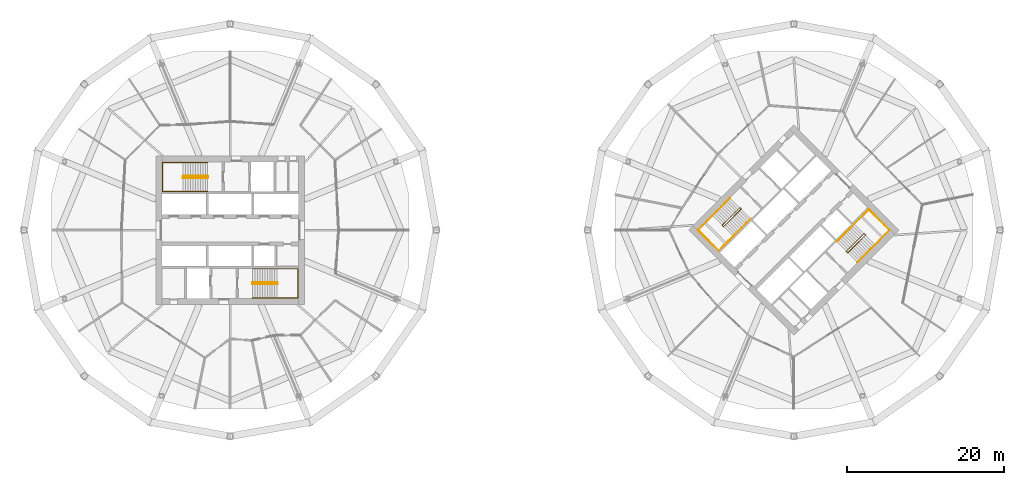
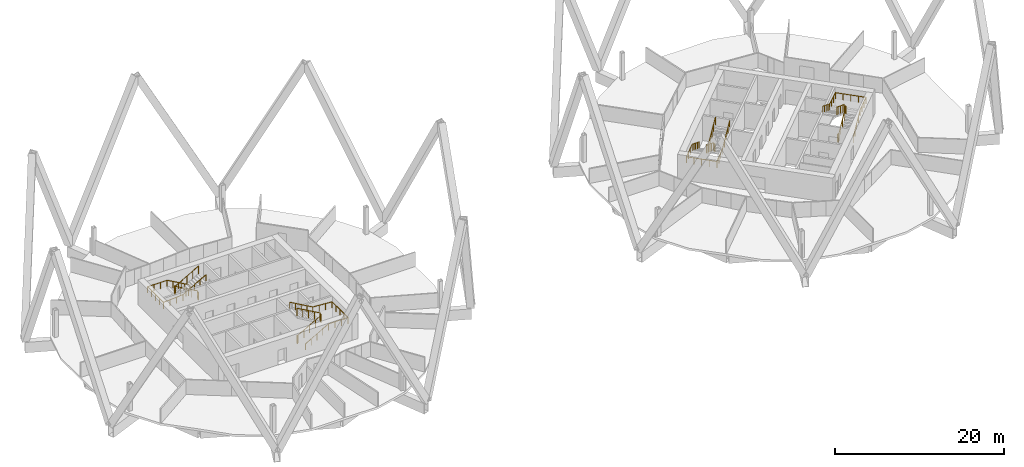
# One storey, part 9 of 9: 8 railings.
"""IFC4 building model written with IfcOpenShell, lengths in metres."""

from ifc_helpers import new_model, si_unit, direction, frame, origin, origin_2d, place, context, subcontext, project, spatial, circle, extrude, material, type_object, element, save


model = new_model("IFC4")

# Units and contexts
model_context = context("Model", 3, precision=1e-05, world=origin(), true_north=direction((0.0, 1.0)))
body_context = subcontext(model_context, "Body", "Model", "MODEL_VIEW")
ifc_project = project(units=[si_unit("LENGTHUNIT", "METRE"), si_unit("AREAUNIT", "SQUARE_METRE"), si_unit("VOLUMEUNIT", "CUBIC_METRE"), si_unit("PLANEANGLEUNIT", "RADIAN"), si_unit("MASSUNIT", "GRAM", prefix="KILO")], contexts=[model_context])

# Site, building, storey
site_placement = place(None, origin())
site = spatial("IfcSite", under=ifc_project, at=site_placement, CompositionType="ELEMENT")
building_placement = place(site_placement, origin())
building = spatial("IfcBuilding", under=site, at=building_placement, Name="Ogive Gate Towers", CompositionType="ELEMENT")
storey_placement = place(building_placement, frame((0.0, 0.0, 51.89990234375)))
storey = spatial("IfcBuildingStorey", under=building, at=storey_placement, Name="L11", CompositionType="ELEMENT", Elevation=51.89990234375)

# Railings
ifc_material = material(Name="Stainless steel", Category="steel")
railing_type_1 = type_object("IfcRailingType", Name="Stair guard 1100", PredefinedType="GUARDRAIL", material=ifc_material)
railing_1_placement = place(storey_placement, frame((-38.81494140625, 6.860107421875, 0.0)))
element("IfcRailing", 1, at=railing_1_placement, inside=storey, type_object=railing_type_1, Name="L11 ST1 stair guard 1", PredefinedType="GUARDRAIL", context=body_context, shape_type="SweptSolid", body=[
    extrude(circle(Radius=0.02392578125, at=origin_2d()), frame((0.0, 0.0, 1.076171875), z_axis=(0.0, -1.0, 0.0), x_axis=(1.0, 0.0, 0.0)), (0.0, 0.0, 1.0), 0.14501953125),
    extrude(circle(Radius=0.02392578125, at=origin_2d()), frame((0.0, -0.14501953125, 1.076171875), z_axis=(-0.186567429962, 0.726247849316, 0.661631812598), x_axis=(-0.968551454522, -0.24881334358, 0.0)), (0.0, 0.0, 1.0), 0.268310546875),
    extrude(circle(Radius=0.02392578125, at=origin_2d()), frame((-0.050048828125, 0.0498046875, 1.25341796875), z_axis=(-0.870572935281, 0.0, 0.492039393094), x_axis=(0.0, -1.0, 0.0)), (0.0, 0.0, 1.0), 3.602783203125),
    extrude(circle(Radius=0.02392578125, at=origin_2d()), frame((-3.1865234375, 0.0498046875, 3.0263671875), z_axis=(-0.707106781187, -0.707106781187, 0.0), x_axis=(0.707106781187, -0.707106781187, 0.0)), (0.0, 0.0, 1.0), 0.0703125),
    extrude(circle(Radius=0.02392578125, at=origin_2d()), frame((-3.236328125, 0.0, 3.0263671875), z_axis=(0.0, -1.0, 0.0), x_axis=(1.0, 0.0, 0.0)), (0.0, 0.0, 1.0), 0.14501953125),
    extrude(circle(Radius=0.02392578125, at=origin_2d()), frame((-3.236328125, -0.14501953125, 3.0263671875), z_axis=(0.261041864531, -0.262321481514, 0.929001929653), x_axis=(0.708833529934, 0.705375805398, 0.0)), (0.0, 0.0, 1.0), 0.190673828125),
    extrude(circle(Radius=0.02392578125, at=origin_2d()), frame((-3.1865234375, -0.195068359375, 3.20361328125), z_axis=(0.870572935281, 0.0, 0.492039393094), x_axis=(0.0, 1.0, 0.0)), (0.0, 0.0, 1.0), 3.602783203125),
    extrude(circle(Radius=0.02099609375, at=origin_2d()), origin(), (0.0, 0.0, 1.0), 1.052001953125),
    extrude(circle(Radius=0.02099609375, at=origin_2d()), frame((0.0, -0.14501953125, 0.0)), (0.0, 0.0, 1.0), 1.052001953125),
    extrude(circle(Radius=0.02099609375, at=origin_2d()), frame((-0.050048828125, 0.0498046875, 0.177490234375)), (0.0, 0.0, 1.0), 1.052001953125),
    extrude(circle(Radius=0.02099609375, at=origin_2d()), frame((-0.834228515625, 0.0498046875, 0.62060546875)), (0.0, 0.0, 1.0), 1.052001953125),
    extrude(circle(Radius=0.02099609375, at=origin_2d()), frame((-1.6181640625, 0.0498046875, 1.06396484375)), (0.0, 0.0, 1.0), 1.052001953125),
    extrude(circle(Radius=0.02099609375, at=origin_2d()), frame((-2.40234375, 0.0498046875, 1.507080078125)), (0.0, 0.0, 1.0), 1.052001953125),
    extrude(circle(Radius=0.02099609375, at=origin_2d()), frame((-3.1865234375, 0.0498046875, 1.9501953125)), (0.0, 0.0, 1.0), 1.052001953125),
    extrude(circle(Radius=0.02099609375, at=origin_2d()), frame((-3.236328125, 0.0, 1.9501953125)), (0.0, 0.0, 1.0), 1.052001953125),
    extrude(circle(Radius=0.02099609375, at=origin_2d()), frame((-3.236328125, -0.14501953125, 1.9501953125)), (0.0, 0.0, 1.0), 1.052001953125),
    extrude(circle(Radius=0.02099609375, at=origin_2d()), frame((-3.1865234375, -0.195068359375, 2.12744140625)), (0.0, 0.0, 1.0), 1.052001953125),
    extrude(circle(Radius=0.02099609375, at=origin_2d()), frame((-2.40234375, -0.195068359375, 2.570556640625)), (0.0, 0.0, 1.0), 1.052001953125),
    extrude(circle(Radius=0.02099609375, at=origin_2d()), frame((-1.6181640625, -0.195068359375, 3.013671875)), (0.0, 0.0, 1.0), 1.052001953125),
    extrude(circle(Radius=0.02099609375, at=origin_2d()), frame((-0.834228515625, -0.195068359375, 3.45703125)), (0.0, 0.0, 1.0), 1.052001953125),
    extrude(circle(Radius=0.02099609375, at=origin_2d()), frame((-0.050048828125, -0.195068359375, 3.900146484375)), (0.0, 0.0, 1.0), 1.052001953125),
])
railing_2_placement = place(storey_placement, frame((-33.18505859375, -6.860107421875, 0.0)))
element("IfcRailing", 2, at=railing_2_placement, inside=storey, type_object=railing_type_1, Name="L11 ST2 stair guard 1", PredefinedType="GUARDRAIL", context=body_context, shape_type="SweptSolid", body=[
    extrude(circle(Radius=0.02392578125, at=origin_2d()), frame((0.0, 0.0, 1.076171875), z_axis=(0.0, 1.0, 0.0), x_axis=(-1.0, 0.0, 0.0)), (0.0, 0.0, 1.0), 0.14501953125),
    extrude(circle(Radius=0.02392578125, at=origin_2d()), frame((0.0, 0.14501953125, 1.076171875), z_axis=(0.186567429962, -0.726247849316, 0.661631812598), x_axis=(0.968551454522, 0.24881334358, 0.0)), (0.0, 0.0, 1.0), 0.268310546875),
    extrude(circle(Radius=0.02392578125, at=origin_2d()), frame((0.050048828125, -0.0498046875, 1.25341796875), z_axis=(0.870572935281, 0.0, 0.492039393094), x_axis=(0.0, 1.0, 0.0)), (0.0, 0.0, 1.0), 3.602783203125),
    extrude(circle(Radius=0.02392578125, at=origin_2d()), frame((3.1865234375, -0.0498046875, 3.0263671875), z_axis=(0.707106781187, 0.707106781187, 0.0), x_axis=(-0.707106781187, 0.707106781187, 0.0)), (0.0, 0.0, 1.0), 0.0703125),
    extrude(circle(Radius=0.02392578125, at=origin_2d()), frame((3.236328125, 0.0, 3.0263671875), z_axis=(0.0, 1.0, 0.0), x_axis=(-1.0, 0.0, 0.0)), (0.0, 0.0, 1.0), 0.14501953125),
    extrude(circle(Radius=0.02392578125, at=origin_2d()), frame((3.236328125, 0.14501953125, 3.0263671875), z_axis=(-0.261041864531, 0.262321481514, 0.929001929653), x_axis=(-0.708833529934, -0.705375805398, 0.0)), (0.0, 0.0, 1.0), 0.190673828125),
    extrude(circle(Radius=0.02392578125, at=origin_2d()), frame((3.1865234375, 0.195068359375, 3.20361328125), z_axis=(-0.870572935281, 0.0, 0.492039393094), x_axis=(0.0, -1.0, 0.0)), (0.0, 0.0, 1.0), 3.602783203125),
    extrude(circle(Radius=0.02099609375, at=origin_2d()), origin(), (0.0, 0.0, 1.0), 1.052001953125),
    extrude(circle(Radius=0.02099609375, at=origin_2d()), frame((0.0, 0.14501953125, 0.0)), (0.0, 0.0, 1.0), 1.052001953125),
    extrude(circle(Radius=0.02099609375, at=origin_2d()), frame((0.050048828125, -0.0498046875, 0.177490234375)), (0.0, 0.0, 1.0), 1.052001953125),
    extrude(circle(Radius=0.02099609375, at=origin_2d()), frame((0.834228515625, -0.0498046875, 0.62060546875)), (0.0, 0.0, 1.0), 1.052001953125),
    extrude(circle(Radius=0.02099609375, at=origin_2d()), frame((1.6181640625, -0.0498046875, 1.06396484375)), (0.0, 0.0, 1.0), 1.052001953125),
    extrude(circle(Radius=0.02099609375, at=origin_2d()), frame((2.40234375, -0.0498046875, 1.507080078125)), (0.0, 0.0, 1.0), 1.052001953125),
    extrude(circle(Radius=0.02099609375, at=origin_2d()), frame((3.1865234375, -0.0498046875, 1.9501953125)), (0.0, 0.0, 1.0), 1.052001953125),
    extrude(circle(Radius=0.02099609375, at=origin_2d()), frame((3.236328125, 0.0, 1.9501953125)), (0.0, 0.0, 1.0), 1.052001953125),
    extrude(circle(Radius=0.02099609375, at=origin_2d()), frame((3.236328125, 0.14501953125, 1.9501953125)), (0.0, 0.0, 1.0), 1.052001953125),
    extrude(circle(Radius=0.02099609375, at=origin_2d()), frame((3.1865234375, 0.195068359375, 2.12744140625)), (0.0, 0.0, 1.0), 1.052001953125),
    extrude(circle(Radius=0.02099609375, at=origin_2d()), frame((2.40234375, 0.195068359375, 2.570556640625)), (0.0, 0.0, 1.0), 1.052001953125),
    extrude(circle(Radius=0.02099609375, at=origin_2d()), frame((1.6181640625, 0.195068359375, 3.013671875)), (0.0, 0.0, 1.0), 1.052001953125),
    extrude(circle(Radius=0.02099609375, at=origin_2d()), frame((0.834228515625, 0.195068359375, 3.45703125)), (0.0, 0.0, 1.0), 1.052001953125),
    extrude(circle(Radius=0.02099609375, at=origin_2d()), frame((0.050048828125, 0.195068359375, 3.900146484375)), (0.0, 0.0, 1.0), 1.052001953125),
])
railing_3_placement = place(storey_placement, frame((29.15869140625, 2.8603515625, 0.0)))
element("IfcRailing", 3, at=railing_3_placement, inside=storey, type_object=railing_type_1, Name="L11 ST1 stair guard 1", PredefinedType="GUARDRAIL", context=body_context, shape_type="SweptSolid", body=[
    extrude(circle(Radius=0.02392578125, at=origin_2d()), frame((0.0, 0.0, 1.076171875), z_axis=(0.707106781187, -0.707106781187, 0.0), x_axis=(0.707106781187, 0.707106781187, 0.0)), (0.0, 0.0, 1.0), 0.14501953125),
    extrude(circle(Radius=0.02392578125, at=origin_2d()), frame((0.1025390625, -0.1025390625, 1.076171875), z_axis=(-0.645182954318, 0.382195826253, 0.661562775443), x_axis=(-0.509669330572, -0.860370369942, 0.0)), (0.0, 0.0, 1.0), 0.268310546875),
    extrude(circle(Radius=0.02392578125, at=origin_2d()), frame((-0.070556640625, 0.0, 1.25341796875), z_axis=(-0.61558473135, -0.61558473135, 0.49204763698), x_axis=(0.707106781187, -0.707106781187, 0.0)), (0.0, 0.0, 1.0), 3.602783203125),
    extrude(circle(Radius=0.02392578125, at=origin_2d()), frame((-2.288330078125, -2.2177734375, 3.0263671875), z_axis=(0.0, -1.0, 0.0), x_axis=(1.0, 0.0, 0.0)), (0.0, 0.0, 1.0), 0.07080078125),
    extrude(circle(Radius=0.02392578125, at=origin_2d()), frame((-2.288330078125, -2.28857421875, 3.0263671875), z_axis=(0.707106781187, -0.707106781187, 0.0), x_axis=(0.707106781187, 0.707106781187, 0.0)), (0.0, 0.0, 1.0), 0.14501953125),
    extrude(circle(Radius=0.02392578125, at=origin_2d()), frame((-2.185791015625, -2.39111328125, 3.0263671875), z_axis=(0.369845645421, 0.0, 0.929093213065), x_axis=(0.0, 1.0, 0.0)), (0.0, 0.0, 1.0), 0.190673828125),
    extrude(circle(Radius=0.02392578125, at=origin_2d()), frame((-2.115234375, -2.39111328125, 3.20361328125), z_axis=(0.61558473135, 0.61558473135, 0.49204763698), x_axis=(-0.707106781187, 0.707106781187, 0.0)), (0.0, 0.0, 1.0), 3.602783203125),
    extrude(circle(Radius=0.02099609375, at=origin_2d()), origin(), (0.0, 0.0, 1.0), 1.052001953125),
    extrude(circle(Radius=0.02099609375, at=origin_2d()), frame((0.1025390625, -0.1025390625, 0.0)), (0.0, 0.0, 1.0), 1.052001953125),
    extrude(circle(Radius=0.02099609375, at=origin_2d()), frame((-0.070556640625, 0.0, 0.177490234375)), (0.0, 0.0, 1.0), 1.052001953125),
    extrude(circle(Radius=0.02099609375, at=origin_2d()), frame((-0.625, -0.554443359375, 0.62060546875)), (0.0, 0.0, 1.0), 1.052001953125),
    extrude(circle(Radius=0.02099609375, at=origin_2d()), frame((-1.179443359375, -1.10888671875, 1.06396484375)), (0.0, 0.0, 1.0), 1.052001953125),
    extrude(circle(Radius=0.02099609375, at=origin_2d()), frame((-1.73388671875, -1.663330078125, 1.507080078125)), (0.0, 0.0, 1.0), 1.052001953125),
    extrude(circle(Radius=0.02099609375, at=origin_2d()), frame((-2.288330078125, -2.2177734375, 1.9501953125)), (0.0, 0.0, 1.0), 1.052001953125),
    extrude(circle(Radius=0.02099609375, at=origin_2d()), frame((-2.288330078125, -2.28857421875, 1.9501953125)), (0.0, 0.0, 1.0), 1.052001953125),
    extrude(circle(Radius=0.02099609375, at=origin_2d()), frame((-2.185791015625, -2.39111328125, 1.9501953125)), (0.0, 0.0, 1.0), 1.052001953125),
    extrude(circle(Radius=0.02099609375, at=origin_2d()), frame((-2.115234375, -2.39111328125, 2.12744140625)), (0.0, 0.0, 1.0), 1.052001953125),
    extrude(circle(Radius=0.02099609375, at=origin_2d()), frame((-1.560791015625, -1.836669921875, 2.570556640625)), (0.0, 0.0, 1.0), 1.052001953125),
    extrude(circle(Radius=0.02099609375, at=origin_2d()), frame((-1.00634765625, -1.2822265625, 3.013671875)), (0.0, 0.0, 1.0), 1.052001953125),
    extrude(circle(Radius=0.02099609375, at=origin_2d()), frame((-0.451904296875, -0.727783203125, 3.45703125)), (0.0, 0.0, 1.0), 1.052001953125),
    extrude(circle(Radius=0.02099609375, at=origin_2d()), frame((0.1025390625, -0.17333984375, 3.900146484375)), (0.0, 0.0, 1.0), 1.052001953125),
])
railing_4_placement = place(storey_placement, frame((42.84130859375, -2.8603515625, 0.0)))
element("IfcRailing", 4, at=railing_4_placement, inside=storey, type_object=railing_type_1, Name="L11 ST2 stair guard 1", PredefinedType="GUARDRAIL", context=body_context, shape_type="SweptSolid", body=[
    extrude(circle(Radius=0.02392578125, at=origin_2d()), frame((0.0, 0.0, 1.076171875), z_axis=(-0.707106781187, 0.707106781187, 0.0), x_axis=(-0.707106781187, -0.707106781187, 0.0)), (0.0, 0.0, 1.0), 0.14501953125),
    extrude(circle(Radius=0.02392578125, at=origin_2d()), frame((-0.1025390625, 0.1025390625, 1.076171875), z_axis=(0.645182954318, -0.382195826253, 0.661562775443), x_axis=(0.509669330572, 0.860370369942, 0.0)), (0.0, 0.0, 1.0), 0.268310546875),
    extrude(circle(Radius=0.02392578125, at=origin_2d()), frame((0.070556640625, 0.0, 1.25341796875), z_axis=(0.61558473135, 0.61558473135, 0.49204763698), x_axis=(-0.707106781187, 0.707106781187, 0.0)), (0.0, 0.0, 1.0), 3.602783203125),
    extrude(circle(Radius=0.02392578125, at=origin_2d()), frame((2.288330078125, 2.2177734375, 3.0263671875), z_axis=(0.0, 1.0, 0.0), x_axis=(-1.0, 0.0, 0.0)), (0.0, 0.0, 1.0), 0.07080078125),
    extrude(circle(Radius=0.02392578125, at=origin_2d()), frame((2.288330078125, 2.28857421875, 3.0263671875), z_axis=(-0.707106781187, 0.707106781187, 0.0), x_axis=(-0.707106781187, -0.707106781187, 0.0)), (0.0, 0.0, 1.0), 0.14501953125),
    extrude(circle(Radius=0.02392578125, at=origin_2d()), frame((2.185791015625, 2.39111328125, 3.0263671875), z_axis=(-0.369845645421, 0.0, 0.929093213065), x_axis=(0.0, -1.0, 0.0)), (0.0, 0.0, 1.0), 0.190673828125),
    extrude(circle(Radius=0.02392578125, at=origin_2d()), frame((2.115234375, 2.39111328125, 3.20361328125), z_axis=(-0.61558473135, -0.61558473135, 0.49204763698), x_axis=(0.707106781187, -0.707106781187, 0.0)), (0.0, 0.0, 1.0), 3.602783203125),
    extrude(circle(Radius=0.02099609375, at=origin_2d()), origin(), (0.0, 0.0, 1.0), 1.052001953125),
    extrude(circle(Radius=0.02099609375, at=origin_2d()), frame((-0.1025390625, 0.1025390625, 0.0)), (0.0, 0.0, 1.0), 1.052001953125),
    extrude(circle(Radius=0.02099609375, at=origin_2d()), frame((0.070556640625, 0.0, 0.177490234375)), (0.0, 0.0, 1.0), 1.052001953125),
    extrude(circle(Radius=0.02099609375, at=origin_2d()), frame((0.625, 0.554443359375, 0.62060546875)), (0.0, 0.0, 1.0), 1.052001953125),
    extrude(circle(Radius=0.02099609375, at=origin_2d()), frame((1.179443359375, 1.10888671875, 1.06396484375)), (0.0, 0.0, 1.0), 1.052001953125),
    extrude(circle(Radius=0.02099609375, at=origin_2d()), frame((1.73388671875, 1.663330078125, 1.507080078125)), (0.0, 0.0, 1.0), 1.052001953125),
    extrude(circle(Radius=0.02099609375, at=origin_2d()), frame((2.288330078125, 2.2177734375, 1.9501953125)), (0.0, 0.0, 1.0), 1.052001953125),
    extrude(circle(Radius=0.02099609375, at=origin_2d()), frame((2.288330078125, 2.28857421875, 1.9501953125)), (0.0, 0.0, 1.0), 1.052001953125),
    extrude(circle(Radius=0.02099609375, at=origin_2d()), frame((2.185791015625, 2.39111328125, 1.9501953125)), (0.0, 0.0, 1.0), 1.052001953125),
    extrude(circle(Radius=0.02099609375, at=origin_2d()), frame((2.115234375, 2.39111328125, 2.12744140625)), (0.0, 0.0, 1.0), 1.052001953125),
    extrude(circle(Radius=0.02099609375, at=origin_2d()), frame((1.560791015625, 1.836669921875, 2.570556640625)), (0.0, 0.0, 1.0), 1.052001953125),
    extrude(circle(Radius=0.02099609375, at=origin_2d()), frame((1.00634765625, 1.2822265625, 3.013671875)), (0.0, 0.0, 1.0), 1.052001953125),
    extrude(circle(Radius=0.02099609375, at=origin_2d()), frame((0.451904296875, 0.727783203125, 3.45703125)), (0.0, 0.0, 1.0), 1.052001953125),
    extrude(circle(Radius=0.02099609375, at=origin_2d()), frame((-0.1025390625, 0.17333984375, 3.900146484375)), (0.0, 0.0, 1.0), 1.052001953125),
])
railing_type_2 = type_object("IfcRailingType", Name="Stair handrail 900", PredefinedType="HANDRAIL", material=ifc_material)
railing_5_placement = place(storey_placement, frame((-38.864990234375, 8.64990234375, 0.177490234375)))
element("IfcRailing", 5, at=railing_5_placement, inside=storey, type_object=railing_type_2, Name="L11 ST1 stair handrail 1", PredefinedType="HANDRAIL", context=body_context, shape_type="SweptSolid", body=[
    extrude(circle(Radius=0.02392578125, at=origin_2d()), frame((0.0, 0.0, 0.8759765625), z_axis=(-0.870572935281, 0.0, 0.492039393094), x_axis=(0.0, -1.0, 0.0)), (0.0, 0.0, 1.0), 3.602783203125),
    extrude(circle(Radius=0.02392578125, at=origin_2d()), frame((-3.136474609375, 0.0, 2.6484375), z_axis=(-1.0, 0.0, 0.0), x_axis=(0.0, -1.0, 0.0)), (0.0, 0.0, 1.0), 2.6484375),
    extrude(circle(Radius=0.02392578125, at=origin_2d()), frame((-5.784912109375, 0.0, 2.6484375), z_axis=(0.0, -1.0, 0.0), x_axis=(1.0, 0.0, 0.0)), (0.0, 0.0, 1.0), 3.724853515625),
    extrude(circle(Radius=0.02392578125, at=origin_2d()), frame((-5.784912109375, -3.724853515625, 2.6484375), z_axis=(0.997768031817, 0.0, 0.066775404784), x_axis=(0.0, 1.0, 0.0)), (0.0, 0.0, 1.0), 2.654296875),
    extrude(circle(Radius=0.02392578125, at=origin_2d()), frame((-3.136474609375, -3.724853515625, 2.82568359375), z_axis=(0.870572935281, 0.0, 0.492039393094), x_axis=(0.0, 1.0, 0.0)), (0.0, 0.0, 1.0), 3.602783203125),
    extrude(circle(Radius=0.02099609375, at=origin_2d()), origin(), (0.0, 0.0, 1.0), 0.851806640625),
    extrude(circle(Radius=0.02099609375, at=origin_2d()), frame((-0.7841796875, 0.0, 0.443115234375)), (0.0, 0.0, 1.0), 0.851806640625),
    extrude(circle(Radius=0.02099609375, at=origin_2d()), frame((-1.568359375, 0.0, 0.88623046875)), (0.0, 0.0, 1.0), 0.851806640625),
    extrude(circle(Radius=0.02099609375, at=origin_2d()), frame((-2.352294921875, 0.0, 1.32958984375)), (0.0, 0.0, 1.0), 0.851806640625),
    extrude(circle(Radius=0.02099609375, at=origin_2d()), frame((-3.136474609375, 0.0, 1.772705078125)), (0.0, 0.0, 1.0), 0.851806640625),
    extrude(circle(Radius=0.02099609375, at=origin_2d()), frame((-4.019287109375, 0.0, 1.772705078125)), (0.0, 0.0, 1.0), 0.851806640625),
    extrude(circle(Radius=0.02099609375, at=origin_2d()), frame((-4.902099609375, 0.0, 1.772705078125)), (0.0, 0.0, 1.0), 0.851806640625),
    extrude(circle(Radius=0.02099609375, at=origin_2d()), frame((-5.784912109375, 0.0, 1.772705078125)), (0.0, 0.0, 1.0), 0.851806640625),
    extrude(circle(Radius=0.02099609375, at=origin_2d()), frame((-5.784912109375, -0.93115234375, 1.772705078125)), (0.0, 0.0, 1.0), 0.851806640625),
    extrude(circle(Radius=0.02099609375, at=origin_2d()), frame((-5.784912109375, -1.8623046875, 1.772705078125)), (0.0, 0.0, 1.0), 0.851806640625),
    extrude(circle(Radius=0.02099609375, at=origin_2d()), frame((-5.784912109375, -2.793701171875, 1.772705078125)), (0.0, 0.0, 1.0), 0.851806640625),
    extrude(circle(Radius=0.02099609375, at=origin_2d()), frame((-5.784912109375, -3.724853515625, 1.772705078125)), (0.0, 0.0, 1.0), 0.851806640625),
    extrude(circle(Radius=0.02099609375, at=origin_2d()), frame((-4.902099609375, -3.724853515625, 1.831787109375)), (0.0, 0.0, 1.0), 0.851806640625),
    extrude(circle(Radius=0.02099609375, at=origin_2d()), frame((-4.019287109375, -3.724853515625, 1.890869140625)), (0.0, 0.0, 1.0), 0.851806640625),
    extrude(circle(Radius=0.02099609375, at=origin_2d()), frame((-3.136474609375, -3.724853515625, 1.949951171875)), (0.0, 0.0, 1.0), 0.851806640625),
    extrude(circle(Radius=0.02099609375, at=origin_2d()), frame((-2.352294921875, -3.724853515625, 2.39306640625)), (0.0, 0.0, 1.0), 0.851806640625),
    extrude(circle(Radius=0.02099609375, at=origin_2d()), frame((-1.568359375, -3.724853515625, 2.83642578125)), (0.0, 0.0, 1.0), 0.851806640625),
    extrude(circle(Radius=0.02099609375, at=origin_2d()), frame((-0.7841796875, -3.724853515625, 3.279541015625)), (0.0, 0.0, 1.0), 0.851806640625),
    extrude(circle(Radius=0.02099609375, at=origin_2d()), frame((0.0, -3.724853515625, 3.72265625)), (0.0, 0.0, 1.0), 0.851806640625),
])
railing_6_placement = place(storey_placement, frame((-33.135009765625, -8.64990234375, 0.177490234375)))
element("IfcRailing", 6, at=railing_6_placement, inside=storey, type_object=railing_type_2, Name="L11 ST2 stair handrail 1", PredefinedType="HANDRAIL", context=body_context, shape_type="SweptSolid", body=[
    extrude(circle(Radius=0.02392578125, at=origin_2d()), frame((0.0, 0.0, 0.8759765625), z_axis=(0.870572935281, 0.0, 0.492039393094), x_axis=(0.0, 1.0, 0.0)), (0.0, 0.0, 1.0), 3.602783203125),
    extrude(circle(Radius=0.02392578125, at=origin_2d()), frame((3.136474609375, 0.0, 2.6484375), z_axis=(1.0, 0.0, 0.0), x_axis=(0.0, 1.0, 0.0)), (0.0, 0.0, 1.0), 2.6484375),
    extrude(circle(Radius=0.02392578125, at=origin_2d()), frame((5.784912109375, 0.0, 2.6484375), z_axis=(0.0, 1.0, 0.0), x_axis=(-1.0, 0.0, 0.0)), (0.0, 0.0, 1.0), 3.724853515625),
    extrude(circle(Radius=0.02392578125, at=origin_2d()), frame((5.784912109375, 3.724853515625, 2.6484375), z_axis=(-0.997768031817, 0.0, 0.066775404784), x_axis=(0.0, -1.0, 0.0)), (0.0, 0.0, 1.0), 2.654296875),
    extrude(circle(Radius=0.02392578125, at=origin_2d()), frame((3.136474609375, 3.724853515625, 2.82568359375), z_axis=(-0.870572935281, 0.0, 0.492039393094), x_axis=(0.0, -1.0, 0.0)), (0.0, 0.0, 1.0), 3.602783203125),
    extrude(circle(Radius=0.02099609375, at=origin_2d()), origin(), (0.0, 0.0, 1.0), 0.851806640625),
    extrude(circle(Radius=0.02099609375, at=origin_2d()), frame((0.7841796875, 0.0, 0.443115234375)), (0.0, 0.0, 1.0), 0.851806640625),
    extrude(circle(Radius=0.02099609375, at=origin_2d()), frame((1.568359375, 0.0, 0.88623046875)), (0.0, 0.0, 1.0), 0.851806640625),
    extrude(circle(Radius=0.02099609375, at=origin_2d()), frame((2.352294921875, 0.0, 1.32958984375)), (0.0, 0.0, 1.0), 0.851806640625),
    extrude(circle(Radius=0.02099609375, at=origin_2d()), frame((3.136474609375, 0.0, 1.772705078125)), (0.0, 0.0, 1.0), 0.851806640625),
    extrude(circle(Radius=0.02099609375, at=origin_2d()), frame((4.019287109375, 0.0, 1.772705078125)), (0.0, 0.0, 1.0), 0.851806640625),
    extrude(circle(Radius=0.02099609375, at=origin_2d()), frame((4.902099609375, 0.0, 1.772705078125)), (0.0, 0.0, 1.0), 0.851806640625),
    extrude(circle(Radius=0.02099609375, at=origin_2d()), frame((5.784912109375, 0.0, 1.772705078125)), (0.0, 0.0, 1.0), 0.851806640625),
    extrude(circle(Radius=0.02099609375, at=origin_2d()), frame((5.784912109375, 0.93115234375, 1.772705078125)), (0.0, 0.0, 1.0), 0.851806640625),
    extrude(circle(Radius=0.02099609375, at=origin_2d()), frame((5.784912109375, 1.8623046875, 1.772705078125)), (0.0, 0.0, 1.0), 0.851806640625),
    extrude(circle(Radius=0.02099609375, at=origin_2d()), frame((5.784912109375, 2.793701171875, 1.772705078125)), (0.0, 0.0, 1.0), 0.851806640625),
    extrude(circle(Radius=0.02099609375, at=origin_2d()), frame((5.784912109375, 3.724853515625, 1.772705078125)), (0.0, 0.0, 1.0), 0.851806640625),
    extrude(circle(Radius=0.02099609375, at=origin_2d()), frame((4.902099609375, 3.724853515625, 1.831787109375)), (0.0, 0.0, 1.0), 0.851806640625),
    extrude(circle(Radius=0.02099609375, at=origin_2d()), frame((4.019287109375, 3.724853515625, 1.890869140625)), (0.0, 0.0, 1.0), 0.851806640625),
    extrude(circle(Radius=0.02099609375, at=origin_2d()), frame((3.136474609375, 3.724853515625, 1.949951171875)), (0.0, 0.0, 1.0), 0.851806640625),
    extrude(circle(Radius=0.02099609375, at=origin_2d()), frame((2.352294921875, 3.724853515625, 2.39306640625)), (0.0, 0.0, 1.0), 0.851806640625),
    extrude(circle(Radius=0.02099609375, at=origin_2d()), frame((1.568359375, 3.724853515625, 2.83642578125)), (0.0, 0.0, 1.0), 0.851806640625),
    extrude(circle(Radius=0.02099609375, at=origin_2d()), frame((0.7841796875, 3.724853515625, 3.279541015625)), (0.0, 0.0, 1.0), 0.851806640625),
    extrude(circle(Radius=0.02099609375, at=origin_2d()), frame((0.0, 3.724853515625, 3.72265625)), (0.0, 0.0, 1.0), 0.851806640625),
])
railing_7_placement = place(storey_placement, frame((27.857666015625, 4.090576171875, 0.177490234375)))
element("IfcRailing", 7, at=railing_7_placement, inside=storey, type_object=railing_type_2, Name="L11 ST1 stair handrail 1", PredefinedType="HANDRAIL", context=body_context, shape_type="SweptSolid", body=[
    extrude(circle(Radius=0.02392578125, at=origin_2d()), frame((0.0, 0.0, 0.8759765625), z_axis=(-0.61558473135, -0.61558473135, 0.49204763698), x_axis=(0.707106781187, -0.707106781187, 0.0)), (0.0, 0.0, 1.0), 3.602783203125),
    extrude(circle(Radius=0.02392578125, at=origin_2d()), frame((-2.2177734375, -2.2177734375, 2.6484375), z_axis=(-0.707106781187, -0.707106781187, 0.0), x_axis=(0.707106781187, -0.707106781187, 0.0)), (0.0, 0.0, 1.0), 2.6484375),
    extrude(circle(Radius=0.02392578125, at=origin_2d()), frame((-4.090576171875, -4.090576171875, 2.6484375), z_axis=(0.707106781187, -0.707106781187, 0.0), x_axis=(0.707106781187, 0.707106781187, 0.0)), (0.0, 0.0, 1.0), 3.72509765625),
    extrude(circle(Radius=0.02392578125, at=origin_2d()), frame((-1.45654296875, -6.724609375, 2.6484375), z_axis=(0.705482886452, 0.705574853978, 0.066768423356), x_axis=(-0.70715286629, 0.70706069308, 0.0)), (0.0, 0.0, 1.0), 2.654541015625),
    extrude(circle(Radius=0.02392578125, at=origin_2d()), frame((0.416259765625, -4.8515625, 2.82568359375), z_axis=(0.615610411033, 0.615542642384, 0.4920681632), x_axis=(-0.70706785752, 0.70714570271, 0.0)), (0.0, 0.0, 1.0), 3.6025390625),
    extrude(circle(Radius=0.02099609375, at=origin_2d()), origin(), (0.0, 0.0, 1.0), 0.851806640625),
    extrude(circle(Radius=0.02099609375, at=origin_2d()), frame((-0.554443359375, -0.554443359375, 0.443115234375)), (0.0, 0.0, 1.0), 0.851806640625),
    extrude(circle(Radius=0.02099609375, at=origin_2d()), frame((-1.10888671875, -1.10888671875, 0.88623046875)), (0.0, 0.0, 1.0), 0.851806640625),
    extrude(circle(Radius=0.02099609375, at=origin_2d()), frame((-1.663330078125, -1.663330078125, 1.32958984375)), (0.0, 0.0, 1.0), 0.851806640625),
    extrude(circle(Radius=0.02099609375, at=origin_2d()), frame((-2.2177734375, -2.2177734375, 1.772705078125)), (0.0, 0.0, 1.0), 0.851806640625),
    extrude(circle(Radius=0.02099609375, at=origin_2d()), frame((-2.842041015625, -2.842041015625, 1.772705078125)), (0.0, 0.0, 1.0), 0.851806640625),
    extrude(circle(Radius=0.02099609375, at=origin_2d()), frame((-3.46630859375, -3.46630859375, 1.772705078125)), (0.0, 0.0, 1.0), 0.851806640625),
    extrude(circle(Radius=0.02099609375, at=origin_2d()), frame((-4.090576171875, -4.090576171875, 1.772705078125)), (0.0, 0.0, 1.0), 0.851806640625),
    extrude(circle(Radius=0.02099609375, at=origin_2d()), frame((-3.43212890625, -4.7490234375, 1.772705078125)), (0.0, 0.0, 1.0), 0.851806640625),
    extrude(circle(Radius=0.02099609375, at=origin_2d()), frame((-2.7734375, -5.40771484375, 1.772705078125)), (0.0, 0.0, 1.0), 0.851806640625),
    extrude(circle(Radius=0.02099609375, at=origin_2d()), frame((-2.114990234375, -6.066162109375, 1.772705078125)), (0.0, 0.0, 1.0), 0.851806640625),
    extrude(circle(Radius=0.02099609375, at=origin_2d()), frame((-1.45654296875, -6.724609375, 1.772705078125)), (0.0, 0.0, 1.0), 0.851806640625),
    extrude(circle(Radius=0.02099609375, at=origin_2d()), frame((-0.832275390625, -6.100341796875, 1.831787109375)), (0.0, 0.0, 1.0), 0.851806640625),
    extrude(circle(Radius=0.02099609375, at=origin_2d()), frame((-0.2080078125, -5.475830078125, 1.890869140625)), (0.0, 0.0, 1.0), 0.851806640625),
    extrude(circle(Radius=0.02099609375, at=origin_2d()), frame((0.416259765625, -4.8515625, 1.949951171875)), (0.0, 0.0, 1.0), 0.851806640625),
    extrude(circle(Radius=0.02099609375, at=origin_2d()), frame((0.970703125, -4.297119140625, 2.39306640625)), (0.0, 0.0, 1.0), 0.851806640625),
    extrude(circle(Radius=0.02099609375, at=origin_2d()), frame((1.525146484375, -3.74267578125, 2.83642578125)), (0.0, 0.0, 1.0), 0.851806640625),
    extrude(circle(Radius=0.02099609375, at=origin_2d()), frame((2.07958984375, -3.1884765625, 3.279541015625)), (0.0, 0.0, 1.0), 0.851806640625),
    extrude(circle(Radius=0.02099609375, at=origin_2d()), frame((2.634033203125, -2.634033203125, 3.72265625)), (0.0, 0.0, 1.0), 0.851806640625),
])
railing_8_placement = place(storey_placement, frame((44.142333984375, -4.090576171875, 0.177490234375)))
element("IfcRailing", 8, at=railing_8_placement, inside=storey, type_object=railing_type_2, Name="L11 ST2 stair handrail 1", PredefinedType="HANDRAIL", context=body_context, shape_type="SweptSolid", body=[
    extrude(circle(Radius=0.02392578125, at=origin_2d()), frame((0.0, 0.0, 0.8759765625), z_axis=(0.61558473135, 0.61558473135, 0.49204763698), x_axis=(-0.707106781187, 0.707106781187, 0.0)), (0.0, 0.0, 1.0), 3.602783203125),
    extrude(circle(Radius=0.02392578125, at=origin_2d()), frame((2.2177734375, 2.2177734375, 2.6484375), z_axis=(0.707106781187, 0.707106781187, 0.0), x_axis=(-0.707106781187, 0.707106781187, 0.0)), (0.0, 0.0, 1.0), 2.6484375),
    extrude(circle(Radius=0.02392578125, at=origin_2d()), frame((4.090576171875, 4.090576171875, 2.6484375), z_axis=(-0.707106781187, 0.707106781187, 0.0), x_axis=(-0.707106781187, -0.707106781187, 0.0)), (0.0, 0.0, 1.0), 3.72509765625),
    extrude(circle(Radius=0.02392578125, at=origin_2d()), frame((1.45654296875, 6.724609375, 2.6484375), z_axis=(-0.705482886452, -0.705574853978, 0.066768423356), x_axis=(0.70715286629, -0.70706069308, 0.0)), (0.0, 0.0, 1.0), 2.654541015625),
    extrude(circle(Radius=0.02392578125, at=origin_2d()), frame((-0.416259765625, 4.8515625, 2.82568359375), z_axis=(-0.615610411033, -0.615542642384, 0.4920681632), x_axis=(0.70706785752, -0.70714570271, 0.0)), (0.0, 0.0, 1.0), 3.6025390625),
    extrude(circle(Radius=0.02099609375, at=origin_2d()), origin(), (0.0, 0.0, 1.0), 0.851806640625),
    extrude(circle(Radius=0.02099609375, at=origin_2d()), frame((0.554443359375, 0.554443359375, 0.443115234375)), (0.0, 0.0, 1.0), 0.851806640625),
    extrude(circle(Radius=0.02099609375, at=origin_2d()), frame((1.10888671875, 1.10888671875, 0.88623046875)), (0.0, 0.0, 1.0), 0.851806640625),
    extrude(circle(Radius=0.02099609375, at=origin_2d()), frame((1.663330078125, 1.663330078125, 1.32958984375)), (0.0, 0.0, 1.0), 0.851806640625),
    extrude(circle(Radius=0.02099609375, at=origin_2d()), frame((2.2177734375, 2.2177734375, 1.772705078125)), (0.0, 0.0, 1.0), 0.851806640625),
    extrude(circle(Radius=0.02099609375, at=origin_2d()), frame((2.842041015625, 2.842041015625, 1.772705078125)), (0.0, 0.0, 1.0), 0.851806640625),
    extrude(circle(Radius=0.02099609375, at=origin_2d()), frame((3.46630859375, 3.46630859375, 1.772705078125)), (0.0, 0.0, 1.0), 0.851806640625),
    extrude(circle(Radius=0.02099609375, at=origin_2d()), frame((4.090576171875, 4.090576171875, 1.772705078125)), (0.0, 0.0, 1.0), 0.851806640625),
    extrude(circle(Radius=0.02099609375, at=origin_2d()), frame((3.43212890625, 4.7490234375, 1.772705078125)), (0.0, 0.0, 1.0), 0.851806640625),
    extrude(circle(Radius=0.02099609375, at=origin_2d()), frame((2.7734375, 5.40771484375, 1.772705078125)), (0.0, 0.0, 1.0), 0.851806640625),
    extrude(circle(Radius=0.02099609375, at=origin_2d()), frame((2.114990234375, 6.066162109375, 1.772705078125)), (0.0, 0.0, 1.0), 0.851806640625),
    extrude(circle(Radius=0.02099609375, at=origin_2d()), frame((1.45654296875, 6.724609375, 1.772705078125)), (0.0, 0.0, 1.0), 0.851806640625),
    extrude(circle(Radius=0.02099609375, at=origin_2d()), frame((0.832275390625, 6.100341796875, 1.831787109375)), (0.0, 0.0, 1.0), 0.851806640625),
    extrude(circle(Radius=0.02099609375, at=origin_2d()), frame((0.2080078125, 5.475830078125, 1.890869140625)), (0.0, 0.0, 1.0), 0.851806640625),
    extrude(circle(Radius=0.02099609375, at=origin_2d()), frame((-0.416259765625, 4.8515625, 1.949951171875)), (0.0, 0.0, 1.0), 0.851806640625),
    extrude(circle(Radius=0.02099609375, at=origin_2d()), frame((-0.970703125, 4.297119140625, 2.39306640625)), (0.0, 0.0, 1.0), 0.851806640625),
    extrude(circle(Radius=0.02099609375, at=origin_2d()), frame((-1.525146484375, 3.74267578125, 2.83642578125)), (0.0, 0.0, 1.0), 0.851806640625),
    extrude(circle(Radius=0.02099609375, at=origin_2d()), frame((-2.07958984375, 3.1884765625, 3.279541015625)), (0.0, 0.0, 1.0), 0.851806640625),
    extrude(circle(Radius=0.02099609375, at=origin_2d()), frame((-2.634033203125, 2.634033203125, 3.72265625)), (0.0, 0.0, 1.0), 0.851806640625),
])

save(model, "model.ifc")
